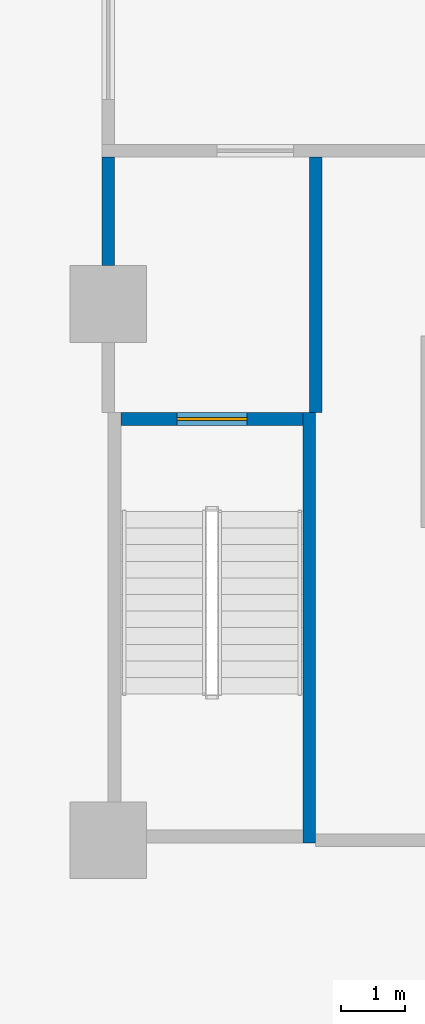
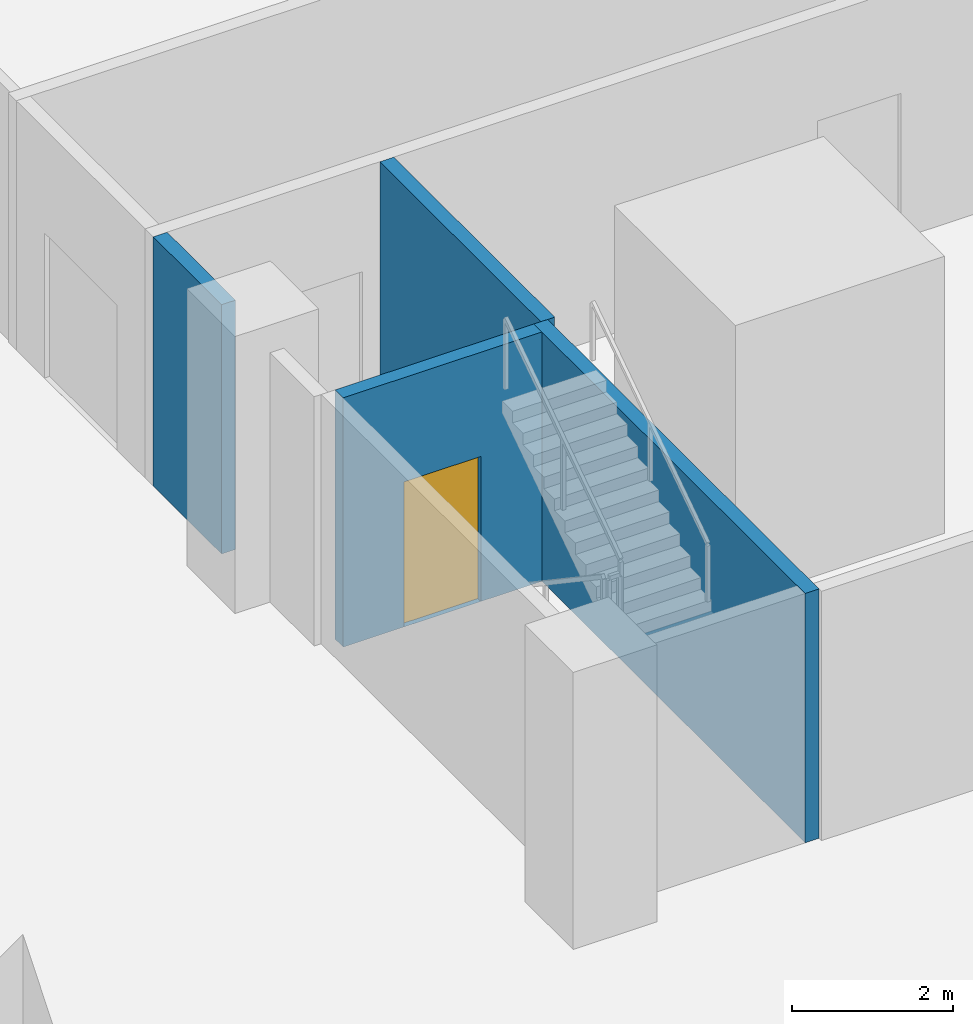
# One storey, part 2 of 16: 4 walls, 1 door, 1 opening.
"""IFC4 building model written with IfcOpenShell, lengths in metres."""

import ifcopenshell
import ifcopenshell.guid

model = None  # the IFC model being written
_history = None  # IfcOwnerHistory: only IFC2X3 demands one
_inside = {}  # id of a spatial element -> (the spatial element, [elements in it])
_under = {}  # id of a project, library or spatial element -> (it, [spatial elements below it])
_declared = {}  # id of a project -> (the project, [libraries it declares])
_typed = {}  # id of a type object -> (the type object, [elements of that type])
_made_of = {}  # id of a material, layer set ... -> (it, [elements and type objects made of it])


def new_model(schema):
    """Start an empty IFC model of exactly this schema.

    Asked for "IFC4X3", IfcOpenShell would pick the latest addendum, in which some entities
    have other attributes; the version numbers below select the first issue.
    IFC2X3 requires an IfcOwnerHistory on every rooted entity: one is made here for all.
    """
    global model, _history
    if schema == "IFC4X3":
        model = ifcopenshell.file(schema_version=(4, 3, 0, 0))
    else:
        model = ifcopenshell.file(schema=schema)
    _inside.clear()
    _under.clear()
    _declared.clear()
    _typed.clear()
    _made_of.clear()
    _history = None
    if model.schema == "IFC2X3":
        org = make("IfcOrganization", Name="unknown")
        user = make(
            "IfcPersonAndOrganization",
            ThePerson=make("IfcPerson", FamilyName="unknown"),
            TheOrganization=org,
        )
        app = make(
            "IfcApplication",
            ApplicationDeveloper=org,
            Version="unknown",
            ApplicationFullName="unknown",
            ApplicationIdentifier="unknown",
        )
        _history = make(
            "IfcOwnerHistory",
            OwningUser=user,
            OwningApplication=app,
            ChangeAction="ADDED",
            CreationDate=0,
        )
    return model


def make(cls, **values):
    """One entity of the class cls with the attributes given. An attribute that is None is left unset."""
    return model.create_entity(
        cls, **{name: value for name, value in values.items() if value is not None}
    )


def rooted(cls, **values):
    """An entity with a GlobalId (a new one), such as an element, a storey or a relation."""
    return make(cls, GlobalId=ifcopenshell.guid.new(), OwnerHistory=_history, **values)


def si_unit(unit_type, name, prefix=None):
    """IfcSIUnit, for example si_unit("LENGTHUNIT", "METRE", prefix="MILLI")."""
    return make("IfcSIUnit", UnitType=unit_type, Prefix=prefix, Name=name)


def assignment(units):
    """IfcUnitAssignment: the units of a project."""
    return None if units is None else make("IfcUnitAssignment", Units=units)


def point(xyz):
    """IfcCartesianPoint."""
    return None if xyz is None else make("IfcCartesianPoint", Coordinates=xyz)


def direction(xyz):
    """IfcDirection."""
    return None if xyz is None else make("IfcDirection", DirectionRatios=xyz)


def frame(location, z_axis=None, x_axis=None):
    """IfcAxis2Placement3D, a coordinate frame: its origin and axes. An axis left out is left unset."""
    return make(
        "IfcAxis2Placement3D",
        Location=point(location),
        Axis=direction(z_axis),
        RefDirection=direction(x_axis),
    )


def frame_2d(location, x_axis=None):
    """IfcAxis2Placement2D, a coordinate frame in the plane: its origin and x axis."""
    return make(
        "IfcAxis2Placement2D", Location=point(location), RefDirection=direction(x_axis)
    )


def origin():
    """The frame at (0, 0, 0) with its axes left unset."""
    return frame((0.0, 0.0, 0.0))


def place(relative_to, where):
    """IfcLocalPlacement: puts the frame where relative to a parent placement (None: the world)."""
    return make(
        "IfcLocalPlacement", PlacementRelTo=relative_to, RelativePlacement=where
    )


def context(
    kind, dimensions, precision=None, world=None, true_north=None, identifier=None
):
    """IfcGeometricRepresentationContext, for example the 3D "Model" context."""
    return make(
        "IfcGeometricRepresentationContext",
        ContextIdentifier=identifier,
        ContextType=kind,
        CoordinateSpaceDimension=dimensions,
        Precision=precision,
        WorldCoordinateSystem=world,
        TrueNorth=true_north,
    )


def subcontext(parent, identifier, kind, view, scale=None):
    """IfcGeometricRepresentationSubContext, for example "Body" below "Model"."""
    return make(
        "IfcGeometricRepresentationSubContext",
        ContextIdentifier=identifier,
        ContextType=kind,
        ParentContext=parent,
        TargetScale=scale,
        TargetView=view,
    )


def project(units=None, contexts=None):
    """IfcProject with its units and contexts."""
    return rooted(
        "IfcProject",
        Name="project",
        RepresentationContexts=contexts,
        UnitsInContext=assignment(units),
    )


def spatial(cls, under=None, at=None, **own):
    """A site, building, storey or space (cls), placed at a placement, below another one or the project."""
    s = rooted(cls, ObjectPlacement=at, **own)
    if under is not None:
        _under.setdefault(under.id(), (under, []))[1].append(s)
    return s


def profile(cls, at=None, kind="AREA", **sizes):
    """A parametric profile (cls). Its sizes go by their IFC names, for example OverallWidth=200.0."""
    return make(cls, ProfileType=kind, Position=at, **sizes)


def rectangle(**sizes):
    """IfcRectangleProfileDef."""
    return profile("IfcRectangleProfileDef", **sizes)


def extrude(swept, where, along, depth):
    """IfcExtrudedAreaSolid: the profile swept, set in the frame where, extruded along a direction by depth."""
    return make(
        "IfcExtrudedAreaSolid",
        SweptArea=swept,
        Position=where,
        ExtrudedDirection=direction(along),
        Depth=depth,
    )


def shape(context_of_items, identifier, shape_type, items):
    """IfcShapeRepresentation: the items that make up one representation, for example the "Body"."""
    return make(
        "IfcShapeRepresentation",
        ContextOfItems=context_of_items,
        RepresentationIdentifier=identifier,
        RepresentationType=shape_type,
        Items=items,
    )


def material(Name=None, Category=None):
    """IfcMaterial."""
    return make("IfcMaterial", Name=Name, Category=Category)


def layer(
    of_material, thickness, ventilated=None, Name=None, Category=None, Priority=None
):
    """IfcMaterialLayer: one layer of a wall or slab, of a material (None: an air gap)."""
    return make(
        "IfcMaterialLayer",
        Material=of_material,
        LayerThickness=thickness,
        IsVentilated=ventilated,
        Name=Name,
        Category=Category,
        Priority=Priority,
    )


def layer_set(layers, Name=None):
    """IfcMaterialLayerSet."""
    return make("IfcMaterialLayerSet", MaterialLayers=layers, LayerSetName=Name)


def made_of(thing, what):
    """Note that an element or type object is made of a material, layer set ...; save() writes the relation."""
    if what is not None:
        _made_of.setdefault(what.id(), (what, []))[1].append(thing)
    return thing


def type_object(cls, material=None, **own):
    """A type object (cls), such as IfcWallType, which elements share."""
    return made_of(rooted(cls, **own), material)


def element(
    cls,
    number,
    at=None,
    inside=None,
    cuts=None,
    type_object=None,
    material=None,
    context=None,
    identifier="Body",
    shape_type=None,
    held_by="IfcProductDefinitionShape",
    body=None,
    shapes=None,
    **own,
):
    """One element of the class cls, such as IfcWall. Its Tag is "e" and its number.

    at: its placement. inside: the storey or other place that contains it. cuts: it is an
    opening in that element (IfcRelVoidsElement). A single representation is given by context,
    identifier, shape_type and body (its items); several are given by shapes. held_by: the class
    of the entity that holds the representations. save() writes the other relations.
    """
    e = rooted(cls, Tag="e%d" % number, ObjectPlacement=at, **own)
    if body is not None:
        shapes = [shape(context, identifier, shape_type, body)]
    if shapes is not None:
        e.Representation = make(held_by, Representations=shapes)
    if inside is not None:
        _inside.setdefault(inside.id(), (inside, []))[1].append(e)
    if cuts is not None:
        rooted(
            "IfcRelVoidsElement", RelatingBuildingElement=cuts, RelatedOpeningElement=e
        )
    if type_object is not None:
        _typed.setdefault(type_object.id(), (type_object, []))[1].append(e)
    return made_of(e, material)


def fill(opening, filler):
    """IfcRelFillsElement: the door or window that sits in an opening."""
    return rooted(
        "IfcRelFillsElement",
        RelatingOpeningElement=opening,
        RelatedBuildingElement=filler,
    )


def aggregate(whole, parts):
    """IfcRelAggregates: a whole, such as a stair, and the parts it consists of."""
    return rooted("IfcRelAggregates", RelatingObject=whole, RelatedObjects=parts)


def save(model, path):
    """Write the relations noted so far, then the file.

    IfcRelAggregates (storeys below a building ...), IfcRelContainedInSpatialStructure (elements
    in a storey), IfcRelDefinesByType, IfcRelAssociatesMaterial and IfcRelDeclares: one each for
    every whole, place, type object, material and project.
    """
    for whole, parts in _under.values():
        aggregate(whole, parts)
    for where, things in _inside.values():
        rooted(
            "IfcRelContainedInSpatialStructure",
            RelatedElements=things,
            RelatingStructure=where,
        )
    for kind, things in _typed.values():
        rooted("IfcRelDefinesByType", RelatedObjects=things, RelatingType=kind)
    for what, things in _made_of.values():
        rooted("IfcRelAssociatesMaterial", RelatedObjects=things, RelatingMaterial=what)
    for by, libraries in _declared.values():
        rooted("IfcRelDeclares", RelatingContext=by, RelatedDefinitions=libraries)
    model.write(path)


model = new_model("IFC4")

# Units and contexts
model_context = context("Model", 3, precision=1e-05, world=origin(), true_north=direction((0.0, 1.0)))
body_context = subcontext(model_context, "Body", "Model", "MODEL_VIEW")
ifc_project = project(units=[si_unit("LENGTHUNIT", "METRE"), si_unit("AREAUNIT", "SQUARE_METRE"), si_unit("VOLUMEUNIT", "CUBIC_METRE"), si_unit("PLANEANGLEUNIT", "RADIAN"), si_unit("MASSUNIT", "GRAM", prefix="KILO")], contexts=[model_context])

# Site, building, storey
site_placement = place(None, origin())
site = spatial("IfcSite", under=ifc_project, at=site_placement, CompositionType="ELEMENT")
building_placement = place(site_placement, origin())
building = spatial("IfcBuilding", under=site, at=building_placement, Name="Khepri Terraces", CompositionType="ELEMENT")
storey_placement = place(building_placement, frame((0.0, 0.0, -4.199951171875)))
storey = spatial("IfcBuildingStorey", under=building, at=storey_placement, Name="B1", CompositionType="ELEMENT", Elevation=-4.199951171875)

# Walls
ifc_material_1 = material(Name="Fire-rated block wall")
ifc_layer_1 = layer(ifc_material_1, 0.199951171875, Name="Fire-rated block wall")
ifc_layer_set_1 = layer_set([ifc_layer_1], Name="Fire-rated block wall")
wall_type_1 = type_object("IfcWallType", Name="WL-POD-200-EI120", PredefinedType="PARTITIONING", material=ifc_layer_set_1)
wall_1_placement = place(storey_placement, frame((-25.199951171875, -16.199951171875, 0.0), z_axis=(0.0, 0.0, 1.0), x_axis=(0.0, 1.0, 0.0)))
element("IfcWall", 1, at=wall_1_placement, inside=storey, type_object=wall_type_1, Name="Partition B1-PW065", PredefinedType="PARTITIONING", context=body_context, shape_type="SweptSolid", body=[
    extrude(rectangle(XDim=1.699951171875, YDim=0.199951171875, at=frame_2d((0.85009765625, 0.0))), origin(), (0.0, 0.0, 1.0), 3.780029296875),
])
wall_2_placement = place(storey_placement, frame((-21.949951171875, -18.5, 0.0), z_axis=(0.0, 0.0, 1.0), x_axis=(0.0, 1.0, 0.0)))
element("IfcWall", 2, at=wall_2_placement, inside=storey, type_object=wall_type_1, Name="Partition B1-PW074", PredefinedType="PARTITIONING", context=body_context, shape_type="SweptSolid", body=[
    extrude(rectangle(XDim=4.0, YDim=0.199951171875, at=frame_2d((2.0, 0.0))), origin(), (0.0, 0.0, 1.0), 3.780029296875),
])
ifc_material_2 = material(Name="Concrete C40/50", Category="concrete")
ifc_layer_2 = layer(ifc_material_2, 0.199951171875, Name="Concrete C40/50", Category="concrete")
ifc_layer_set_2 = layer_set([ifc_layer_2], Name="Concrete C40/50")
wall_type_2 = type_object("IfcWallType", Name="WL-POD-STAIR-200", PredefinedType="SOLIDWALL", material=ifc_layer_set_2)
wall_3_placement = place(storey_placement, frame((-22.050048828125, -25.239990234375, 0.0), z_axis=(0.0, 0.0, 1.0), x_axis=(0.0, 1.0, 0.0)))
element("IfcWall", 3, at=wall_3_placement, inside=storey, type_object=wall_type_2, Name="Stair enclosure PS-4 B1-E", PredefinedType="SOLIDWALL", context=body_context, shape_type="SweptSolid", body=[
    extrude(rectangle(XDim=6.739990234375, YDim=0.199951171875, at=frame_2d((3.3701171875, 0.0))), origin(), (0.0, 0.0, 1.0), 3.780029296875),
])

# Wall, opening, door
wall_4_placement = place(storey_placement, frame((-25.0, -18.60009765625, 0.0), z_axis=(0.0, 0.0, 1.0), x_axis=(1.0, 0.0, 0.0)))
wall_4 = element("IfcWall", 4, at=wall_4_placement, inside=storey, type_object=wall_type_2, Name="Stair enclosure PS-4 B1-N", PredefinedType="SOLIDWALL", context=body_context, shape_type="SweptSolid", body=[
    extrude(rectangle(XDim=2.85009765625, YDim=0.199951171875, at=frame_2d((1.425048828125, 0.0))), origin(), (0.0, 0.0, 1.0), 3.780029296875),
])
opening_placement = place(wall_4_placement, frame((0.875, 0.0, 0.0)))
opening = element("IfcOpeningElement", 5, at=opening_placement, cuts=wall_4, Name="Opening B1-PS-4D", PredefinedType="OPENING", context=body_context, shape_type="SweptSolid", body=[
    extrude(rectangle(XDim=1.10009765625, YDim=2.199951171875, at=frame_2d((0.550048828125, 1.10009765625))), frame((0.0, 0.10986328125, 0.0), z_axis=(0.0, -1.0, 0.0), x_axis=(1.0, 0.0, 0.0)), (0.0, 0.0, 1.0), 0.219970703125),
])
ifc_material_3 = material(Name="Painted steel", Category="steel")
door_type = type_object("IfcDoorType", Name="DR-POD-STAIR-1100", OperationType="NOTDEFINED", PredefinedType="DOOR", material=ifc_material_3)
door_placement = place(opening_placement, origin())
door = element("IfcDoor", 6, at=door_placement, inside=storey, type_object=door_type, Name="Stair door B1-PS-4D", OperationType="SINGLE_SWING_RIGHT", OverallHeight=2.199951171875, OverallWidth=1.10009765625, PredefinedType="DOOR", context=body_context, shape_type="SweptSolid", body=[
    extrude(rectangle(XDim=1.10009765625, YDim=2.199951171875, at=frame_2d((0.550048828125, 1.10009765625))), frame((0.0, 0.02490234375, 0.0), z_axis=(0.0, -1.0, 0.0), x_axis=(1.0, 0.0, 0.0)), (0.0, 0.0, 1.0), 0.050048828125),
])
fill(opening, door)

save(model, "model.ifc")
